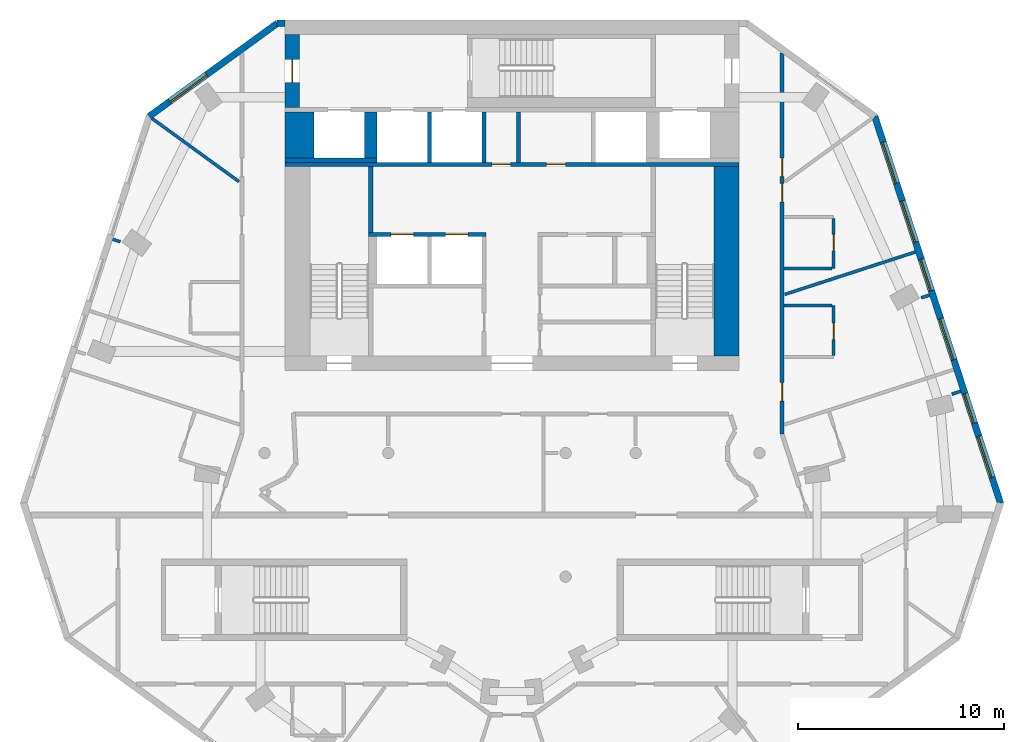
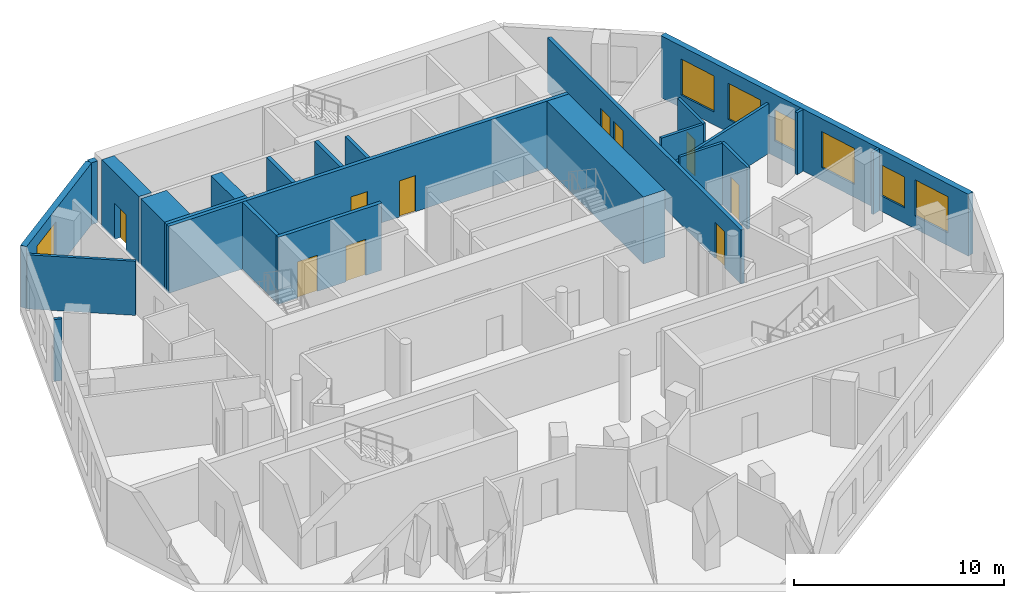
# One storey, part 5 of 9: 24 walls, 10 doors, 7 windows, 17 openings.
"""IFC4 building model written with IfcOpenShell, lengths in metres."""

from ifc_helpers import new_model, si_unit, direction, frame, frame_2d, origin, place, context, subcontext, project, spatial, rectangle, extrude, material, layer, layer_set, type_object, element, fill, save


model = new_model("IFC4")

# Units and contexts
model_context = context("Model", 3, precision=1e-05, world=origin(), true_north=direction((0.0, 1.0)))
body_context = subcontext(model_context, "Body", "Model", "MODEL_VIEW")
ifc_project = project(units=[si_unit("LENGTHUNIT", "METRE"), si_unit("AREAUNIT", "SQUARE_METRE"), si_unit("VOLUMEUNIT", "CUBIC_METRE"), si_unit("PLANEANGLEUNIT", "RADIAN"), si_unit("MASSUNIT", "GRAM", prefix="KILO")], contexts=[model_context])

# Site, building, storey
site_placement = place(None, origin())
site = spatial("IfcSite", under=ifc_project, at=site_placement, CompositionType="ELEMENT")
building_placement = place(site_placement, origin())
building = spatial("IfcBuilding", under=site, at=building_placement, Name="White Candle Pilgrim Tower", CompositionType="ELEMENT")
storey_placement = place(building_placement, frame((0.0, 0.0, 256.10009765625)))
storey = spatial("IfcBuildingStorey", under=building, at=storey_placement, Name="L60", CompositionType="ELEMENT", Elevation=256.10009765625)

# Walls
ifc_material_1 = material(Name="Concrete C50/60", Category="concrete")
ifc_layer_1 = layer(ifc_material_1, 1.39990234375)
ifc_layer_set_1 = layer_set([ifc_layer_1], Name="Core wall 1400 mm Concrete C50/60")
wall_type_1 = type_object("IfcWallType", Name="Core wall 1400 mm Concrete C50/60", PredefinedType="SHEAR", material=ifc_layer_set_1)
wall_1_placement = place(storey_placement, frame((59.699951171875, 81.300048828125, 0.0), z_axis=(0.0, 0.0, 1.0), x_axis=(0.0, 1.0, 0.0)))
element("IfcWall", 1, at=wall_1_placement, inside=storey, type_object=wall_type_1, Name="WL-L60-C40", PredefinedType="SHEAR", context=body_context, shape_type="SweptSolid", body=[
    extrude(rectangle(XDim=2.25, YDim=1.39990234375, at=frame_2d((1.125, 0.0))), origin(), (0.0, 0.0, 1.0), 3.89990234375),
])
ifc_layer_2 = layer(ifc_material_1, 0.199951171875)
ifc_layer_set_2 = layer_set([ifc_layer_2], Name="Core wall 200 mm Concrete C50/60")
wall_type_2 = type_object("IfcWallType", Name="Core wall 200 mm Concrete C50/60", PredefinedType="SHEAR", material=ifc_layer_set_2)
wall_2_placement = place(storey_placement, frame((59.0, 81.199951171875, 0.0), z_axis=(0.0, 0.0, 1.0), x_axis=(1.0, 0.0, 0.0)))
element("IfcWall", 2, at=wall_2_placement, inside=storey, type_object=wall_type_2, Name="WL-L60-C34", PredefinedType="SHEAR", context=body_context, shape_type="SweptSolid", body=[
    extrude(rectangle(XDim=4.449951171875, YDim=0.199951171875, at=frame_2d((2.22509765625, 0.0))), origin(), (0.0, 0.0, 1.0), 3.89990234375),
])

# Wall, opening, door
ifc_layer_3 = layer(ifc_material_1, 0.699951171875)
ifc_layer_set_3 = layer_set([ifc_layer_3], Name="Core wall 700 mm Concrete C50/60")
wall_type_3 = type_object("IfcWallType", Name="Core wall 700 mm Concrete C50/60", PredefinedType="SHEAR", material=ifc_layer_set_3)
wall_3_placement = place(storey_placement, frame((59.35009765625, 83.75, 0.0), z_axis=(0.0, 0.0, 1.0), x_axis=(0.0, 1.0, 0.0)))
wall_3 = element("IfcWall", 3, at=wall_3_placement, inside=storey, type_object=wall_type_3, Name="WL-L60-C45", PredefinedType="SHEAR", context=body_context, shape_type="SweptSolid", body=[
    extrude(rectangle(XDim=3.550048828125, YDim=0.699951171875, at=frame_2d((1.77490234375, 0.0))), origin(), (0.0, 0.0, 1.0), 3.89990234375),
])
opening_1_placement = place(wall_3_placement, frame((1.22509765625, 0.0, 0.0)))
opening_1 = element("IfcOpeningElement", 4, at=opening_1_placement, cuts=wall_3, Name="Opening T18-008", PredefinedType="OPENING", context=body_context, shape_type="SweptSolid", body=[
    extrude(rectangle(XDim=1.10009765625, YDim=2.10009765625, at=frame_2d((0.550048828125, 1.050048828125))), frame((0.0, 0.35986328125, 0.0), z_axis=(0.0, -1.0, 0.0), x_axis=(1.0, 0.0, 0.0)), (0.0, 0.0, 1.0), 0.719970703125),
])
ifc_material_2 = material(Name="Steel door leaf", Category="steel")
door_type_1 = type_object("IfcDoorType", Name="Fire door 1100 x 2100 EI 60", OperationType="NOTDEFINED", PredefinedType="DOOR", material=ifc_material_2)
door_1_placement = place(opening_1_placement, origin())
door_1 = element("IfcDoor", 5, at=door_1_placement, inside=storey, type_object=door_type_1, Name="Door T18-008", OperationType="SINGLE_SWING_RIGHT", OverallHeight=2.10009765625, OverallWidth=1.10009765625, PredefinedType="DOOR", context=body_context, shape_type="SweptSolid", body=[
    extrude(rectangle(XDim=1.10009765625, YDim=2.10009765625, at=frame_2d((0.550048828125, 1.050048828125))), frame((0.0, 0.02490234375, 0.0), z_axis=(0.0, -1.0, 0.0), x_axis=(1.0, 0.0, 0.0)), (0.0, 0.0, 1.0), 0.050048828125),
])
fill(opening_1, door_1)

# Wall, openings, doors
ifc_material_3 = material(Name="Gypsum board on steel studs", Category="steel")
ifc_layer_4 = layer(ifc_material_3, 0.199951171875)
ifc_layer_set_4 = layer_set([ifc_layer_4], Name="Corridor wall 200 mm EI 45")
wall_type_4 = type_object("IfcWallType", Name="Corridor wall 200 mm EI 45", PredefinedType="PARTITIONING", material=ifc_layer_set_4)
wall_4_placement = place(storey_placement, frame((83.10009765625, 86.396240234375, 0.0), z_axis=(0.0, 0.0, 1.0), x_axis=(0.0, -1.0, 0.0)))
wall_4 = element("IfcWall", 6, at=wall_4_placement, inside=storey, type_object=wall_type_4, Name="WL-L60-P004", PredefinedType="PARTITIONING", context=body_context, shape_type="SweptSolid", body=[
    extrude(rectangle(XDim=18.4677734375, YDim=0.199951171875, at=frame_2d((9.23388671875, 0.0))), origin(), (0.0, 0.0, 1.0), 3.14990234375),
])
opening_2_placement = place(wall_4_placement, frame((5.09033203125, 0.0, 0.0)))
opening_2 = element("IfcOpeningElement", 7, at=opening_2_placement, cuts=wall_4, Name="Opening T18-121", PredefinedType="OPENING", context=body_context, shape_type="SweptSolid", body=[
    extrude(rectangle(XDim=0.89990234375, YDim=2.10009765625, at=frame_2d((0.449951171875, 1.050048828125))), frame((0.0, 0.10986328125, 0.0), z_axis=(0.0, -1.0, 0.0), x_axis=(1.0, 0.0, 0.0)), (0.0, 0.0, 1.0), 0.219970703125),
])
opening_3_placement = place(wall_4_placement, frame((6.31396484375, 0.0, 0.0)))
opening_3 = element("IfcOpeningElement", 8, at=opening_3_placement, cuts=wall_4, Name="Opening T18-122", PredefinedType="OPENING", context=body_context, shape_type="SweptSolid", body=[
    extrude(rectangle(XDim=0.89990234375, YDim=2.10009765625, at=frame_2d((0.449951171875, 1.050048828125))), frame((0.0, 0.10986328125, 0.0), z_axis=(0.0, -1.0, 0.0), x_axis=(1.0, 0.0, 0.0)), (0.0, 0.0, 1.0), 0.219970703125),
])
opening_4_placement = place(wall_4_placement, frame((15.977783203125, 0.0, 0.0)))
opening_4 = element("IfcOpeningElement", 9, at=opening_4_placement, cuts=wall_4, Name="Opening T18-123", PredefinedType="OPENING", context=body_context, shape_type="SweptSolid", body=[
    extrude(rectangle(XDim=0.89990234375, YDim=2.10009765625, at=frame_2d((0.449951171875, 1.050048828125))), frame((0.0, 0.10986328125, 0.0), z_axis=(0.0, -1.0, 0.0), x_axis=(1.0, 0.0, 0.0)), (0.0, 0.0, 1.0), 0.219970703125),
])
door_type_2 = type_object("IfcDoorType", Name="Fire door 900 x 2100 EI 30", OperationType="NOTDEFINED", PredefinedType="DOOR", material=ifc_material_2)
door_2_placement = place(opening_2_placement, origin())
door_2 = element("IfcDoor", 10, at=door_2_placement, inside=storey, type_object=door_type_2, Name="Door T18-121", OperationType="SINGLE_SWING_LEFT", OverallHeight=2.10009765625, OverallWidth=0.89990234375, PredefinedType="DOOR", context=body_context, shape_type="SweptSolid", body=[
    extrude(rectangle(XDim=0.89990234375, YDim=2.10009765625, at=frame_2d((0.449951171875, 1.050048828125))), frame((0.0, 0.02490234375, 0.0), z_axis=(0.0, -1.0, 0.0), x_axis=(1.0, 0.0, 0.0)), (0.0, 0.0, 1.0), 0.050048828125),
])
fill(opening_2, door_2)
door_3_placement = place(opening_3_placement, origin())
door_3 = element("IfcDoor", 11, at=door_3_placement, inside=storey, type_object=door_type_2, Name="Door T18-122", OperationType="SINGLE_SWING_RIGHT", OverallHeight=2.10009765625, OverallWidth=0.89990234375, PredefinedType="DOOR", context=body_context, shape_type="SweptSolid", body=[
    extrude(rectangle(XDim=0.89990234375, YDim=2.10009765625, at=frame_2d((0.449951171875, 1.050048828125))), frame((0.0, 0.02490234375, 0.0), z_axis=(0.0, -1.0, 0.0), x_axis=(1.0, 0.0, 0.0)), (0.0, 0.0, 1.0), 0.050048828125),
])
fill(opening_3, door_3)
door_4_placement = place(opening_4_placement, origin())
door_4 = element("IfcDoor", 12, at=door_4_placement, inside=storey, type_object=door_type_2, Name="Door T18-123", OperationType="SINGLE_SWING_LEFT", OverallHeight=2.10009765625, OverallWidth=0.89990234375, PredefinedType="DOOR", context=body_context, shape_type="SweptSolid", body=[
    extrude(rectangle(XDim=0.89990234375, YDim=2.10009765625, at=frame_2d((0.449951171875, 1.050048828125))), frame((0.0, 0.02490234375, 0.0), z_axis=(0.0, -1.0, 0.0), x_axis=(1.0, 0.0, 0.0)), (0.0, 0.0, 1.0), 0.050048828125),
])
fill(opening_4, door_4)

# Wall, openings, windows
ifc_material_4 = material(Name="Precast concrete C40/50", Category="concrete")
ifc_layer_5 = layer(ifc_material_4, 0.320068359375)
ifc_layer_set_5 = layer_set([ifc_layer_5], Name="Facade wall EW1 precast concrete C40/50 pier wall with timber-lined reveals")
wall_type_5 = type_object("IfcWallType", Name="Facade wall EW1 precast concrete C40/50 pier wall with timber-lined reveals", PredefinedType="SOLIDWALL", material=ifc_layer_set_5)
wall_5_placement = place(storey_placement, frame((93.691650390625, 64.569091796875, 0.0), z_axis=(0.0, 0.0, 1.0), x_axis=(-0.309025614403, 0.951053715435, 0.0)))
wall_5 = element("IfcWall", 13, at=wall_5_placement, inside=storey, type_object=wall_type_5, Name="Facade wall L60 ENE", PredefinedType="SOLIDWALL", context=body_context, shape_type="SweptSolid", body=[
    extrude(rectangle(XDim=19.72314453125, YDim=0.320068359375, at=frame_2d((9.861572265625, 0.0))), origin(), (0.0, 0.0, 1.0), 3.599853515625),
])
opening_5_placement = place(wall_5_placement, frame((1.3115234375, 0.0, 0.75)))
opening_5 = element("IfcOpeningElement", 14, at=opening_5_placement, cuts=wall_5, Name="Opening W3", PredefinedType="OPENING", context=body_context, shape_type="SweptSolid", body=[
    extrude(rectangle(XDim=2.10009765625, YDim=2.10009765625, at=frame_2d((1.050048828125, 1.050048828125))), frame((0.0, 0.169921875, 0.0), z_axis=(0.0, -1.0, 0.0), x_axis=(1.0, 0.0, 0.0)), (0.0, 0.0, 1.0), 0.340087890625),
])
opening_6_placement = place(wall_5_placement, frame((4.08349609375, 0.0, 0.89990234375)))
opening_6 = element("IfcOpeningElement", 15, at=opening_6_placement, cuts=wall_5, Name="Opening W1", PredefinedType="OPENING", context=body_context, shape_type="SweptSolid", body=[
    extrude(rectangle(XDim=1.5, YDim=1.800048828125, at=frame_2d((0.75, 0.89990234375))), frame((0.0, 0.169921875, 0.0), z_axis=(0.0, -1.0, 0.0), x_axis=(1.0, 0.0, 0.0)), (0.0, 0.0, 1.0), 0.340087890625),
])
opening_7_placement = place(wall_5_placement, frame((7.3115234375, 0.0, 0.75)))
opening_7 = element("IfcOpeningElement", 16, at=opening_7_placement, cuts=wall_5, Name="Opening W3", PredefinedType="OPENING", context=body_context, shape_type="SweptSolid", body=[
    extrude(rectangle(XDim=2.10009765625, YDim=2.10009765625, at=frame_2d((1.050048828125, 1.050048828125))), frame((0.0, 0.169921875, 0.0), z_axis=(0.0, -1.0, 0.0), x_axis=(1.0, 0.0, 0.0)), (0.0, 0.0, 1.0), 0.340087890625),
])
opening_8_placement = place(wall_5_placement, frame((10.835693359375, 0.0, 0.89990234375)))
opening_8 = element("IfcOpeningElement", 17, at=opening_8_placement, cuts=wall_5, Name="Opening W2", PredefinedType="OPENING", context=body_context, shape_type="SweptSolid", body=[
    extrude(rectangle(XDim=1.60009765625, YDim=1.800048828125, at=frame_2d((0.800048828125, 0.89990234375))), frame((0.0, 0.169921875, 0.0), z_axis=(0.0, -1.0, 0.0), x_axis=(1.0, 0.0, 0.0)), (0.0, 0.0, 1.0), 0.340087890625),
])
opening_9_placement = place(wall_5_placement, frame((13.3115234375, 0.0, 0.75)))
opening_9 = element("IfcOpeningElement", 18, at=opening_9_placement, cuts=wall_5, Name="Opening W3", PredefinedType="OPENING", context=body_context, shape_type="SweptSolid", body=[
    extrude(rectangle(XDim=2.10009765625, YDim=2.10009765625, at=frame_2d((1.050048828125, 1.050048828125))), frame((0.0, 0.169921875, 0.0), z_axis=(0.0, -1.0, 0.0), x_axis=(1.0, 0.0, 0.0)), (0.0, 0.0, 1.0), 0.340087890625),
])
opening_10_placement = place(wall_5_placement, frame((16.3115234375, 0.0, 0.75)))
opening_10 = element("IfcOpeningElement", 19, at=opening_10_placement, cuts=wall_5, Name="Opening W3", PredefinedType="OPENING", context=body_context, shape_type="SweptSolid", body=[
    extrude(rectangle(XDim=2.10009765625, YDim=2.10009765625, at=frame_2d((1.050048828125, 1.050048828125))), frame((0.0, 0.169921875, 0.0), z_axis=(0.0, -1.0, 0.0), x_axis=(1.0, 0.0, 0.0)), (0.0, 0.0, 1.0), 0.340087890625),
])
ifc_material_5 = material(Name="Timber frame with triple glazing", Category="wood")
window_type_1 = type_object("IfcWindowType", Name="Window W1 1500x1800 timber frame triple glazing", PartitioningType="SINGLE_PANEL", PredefinedType="WINDOW", material=ifc_material_5)
window_1_placement = place(opening_6_placement, origin())
window_1 = element("IfcWindow", 20, at=window_1_placement, inside=storey, type_object=window_type_1, Name="Window W1 L60 ENE 2", OverallHeight=1.800048828125, OverallWidth=1.5, PartitioningType="SINGLE_PANEL", PredefinedType="WINDOW", context=body_context, shape_type="SweptSolid", body=[
    extrude(rectangle(XDim=1.5, YDim=1.800048828125, at=frame_2d((0.75, 0.89990234375))), frame((0.0, 0.070068359375, 0.0), z_axis=(0.0, -1.0, 0.0), x_axis=(1.0, 0.0, 0.0)), (0.0, 0.0, 1.0), 0.06005859375),
])
fill(opening_6, window_1)
window_type_2 = type_object("IfcWindowType", Name="Window W2 1600x1800 timber frame triple glazing", PartitioningType="SINGLE_PANEL", PredefinedType="WINDOW", material=ifc_material_5)
window_2_placement = place(opening_8_placement, origin())
window_2 = element("IfcWindow", 21, at=window_2_placement, inside=storey, type_object=window_type_2, Name="Window W2 L60 ENE 4", OverallHeight=1.800048828125, OverallWidth=1.60009765625, PartitioningType="SINGLE_PANEL", PredefinedType="WINDOW", context=body_context, shape_type="SweptSolid", body=[
    extrude(rectangle(XDim=1.60009765625, YDim=1.800048828125, at=frame_2d((0.800048828125, 0.89990234375))), frame((0.0, 0.070068359375, 0.0), z_axis=(0.0, -1.0, 0.0), x_axis=(1.0, 0.0, 0.0)), (0.0, 0.0, 1.0), 0.06005859375),
])
fill(opening_8, window_2)
window_type_3 = type_object("IfcWindowType", Name="Window W3 2100x2100 timber frame triple glazing", PartitioningType="SINGLE_PANEL", PredefinedType="WINDOW", material=ifc_material_5)
window_3_placement = place(opening_5_placement, origin())
window_3 = element("IfcWindow", 22, at=window_3_placement, inside=storey, type_object=window_type_3, Name="Window W3 L60 ENE 1", OverallHeight=2.10009765625, OverallWidth=2.10009765625, PartitioningType="SINGLE_PANEL", PredefinedType="WINDOW", context=body_context, shape_type="SweptSolid", body=[
    extrude(rectangle(XDim=2.10009765625, YDim=2.10009765625, at=frame_2d((1.050048828125, 1.050048828125))), frame((0.0, 0.070068359375, 0.0), z_axis=(0.0, -1.0, 0.0), x_axis=(1.0, 0.0, 0.0)), (0.0, 0.0, 1.0), 0.06005859375),
])
fill(opening_5, window_3)
window_4_placement = place(opening_7_placement, origin())
window_4 = element("IfcWindow", 23, at=window_4_placement, inside=storey, type_object=window_type_3, Name="Window W3 L60 ENE 3", OverallHeight=2.10009765625, OverallWidth=2.10009765625, PartitioningType="SINGLE_PANEL", PredefinedType="WINDOW", context=body_context, shape_type="SweptSolid", body=[
    extrude(rectangle(XDim=2.10009765625, YDim=2.10009765625, at=frame_2d((1.050048828125, 1.050048828125))), frame((0.0, 0.070068359375, 0.0), z_axis=(0.0, -1.0, 0.0), x_axis=(1.0, 0.0, 0.0)), (0.0, 0.0, 1.0), 0.06005859375),
])
fill(opening_7, window_4)
window_5_placement = place(opening_9_placement, origin())
window_5 = element("IfcWindow", 24, at=window_5_placement, inside=storey, type_object=window_type_3, Name="Window W3 L60 ENE 5", OverallHeight=2.10009765625, OverallWidth=2.10009765625, PartitioningType="SINGLE_PANEL", PredefinedType="WINDOW", context=body_context, shape_type="SweptSolid", body=[
    extrude(rectangle(XDim=2.10009765625, YDim=2.10009765625, at=frame_2d((1.050048828125, 1.050048828125))), frame((0.0, 0.070068359375, 0.0), z_axis=(0.0, -1.0, 0.0), x_axis=(1.0, 0.0, 0.0)), (0.0, 0.0, 1.0), 0.06005859375),
])
fill(opening_9, window_5)
window_6_placement = place(opening_10_placement, origin())
window_6 = element("IfcWindow", 25, at=window_6_placement, inside=storey, type_object=window_type_3, Name="Window W3 L60 ENE 6", OverallHeight=2.10009765625, OverallWidth=2.10009765625, PartitioningType="SINGLE_PANEL", PredefinedType="WINDOW", context=body_context, shape_type="SweptSolid", body=[
    extrude(rectangle(XDim=2.10009765625, YDim=2.10009765625, at=frame_2d((1.050048828125, 1.050048828125))), frame((0.0, 0.070068359375, 0.0), z_axis=(0.0, -1.0, 0.0), x_axis=(1.0, 0.0, 0.0)), (0.0, 0.0, 1.0), 0.06005859375),
])
fill(opening_10, window_6)

# Wall
wall_6_placement = place(storey_placement, frame((59.0, 87.840087890625, 0.0), z_axis=(0.0, 0.0, 1.0), x_axis=(-1.0, 0.0, 0.0)))
element("IfcWall", 26, at=wall_6_placement, inside=storey, type_object=wall_type_5, Name="Facade wall L60 N", PredefinedType="SOLIDWALL", context=body_context, shape_type="SweptSolid", body=[
    extrude(rectangle(XDim=0.385009765625, YDim=0.320068359375, at=frame_2d((0.1923828125, 0.0))), origin(), (0.0, 0.0, 1.0), 3.599853515625),
])

# Wall, opening, window
wall_7_placement = place(storey_placement, frame((58.614990234375, 87.840087890625, 0.0), z_axis=(0.0, 0.0, 1.0), x_axis=(-0.809008247786, -0.587797290751, 0.0)))
wall_7 = element("IfcWall", 27, at=wall_7_placement, inside=storey, type_object=wall_type_5, Name="Facade wall L60 NW chamfer", PredefinedType="SOLIDWALL", context=body_context, shape_type="SweptSolid", body=[
    extrude(rectangle(XDim=7.67822265625, YDim=0.320068359375, at=frame_2d((3.839111328125, 0.0))), origin(), (0.0, 0.0, 1.0), 3.599853515625),
])
opening_11_placement = place(wall_7_placement, frame((4.239013671875, 0.0, 0.75)))
opening_11 = element("IfcOpeningElement", 28, at=opening_11_placement, cuts=wall_7, Name="Opening W4", PredefinedType="OPENING", context=body_context, shape_type="SweptSolid", body=[
    extrude(rectangle(XDim=2.199951171875, YDim=2.10009765625, at=frame_2d((1.10009765625, 1.050048828125))), frame((0.0, 0.169921875, 0.0), z_axis=(0.0, -1.0, 0.0), x_axis=(1.0, 0.0, 0.0)), (0.0, 0.0, 1.0), 0.340087890625),
])
window_type_4 = type_object("IfcWindowType", Name="Window W4 2200x2100 timber frame triple glazing", PartitioningType="SINGLE_PANEL", PredefinedType="WINDOW", material=ifc_material_5)
window_7_placement = place(opening_11_placement, origin())
window_7 = element("IfcWindow", 29, at=window_7_placement, inside=storey, type_object=window_type_4, Name="Window W4 L60 NW chamfer 2", OverallHeight=2.10009765625, OverallWidth=2.199951171875, PartitioningType="SINGLE_PANEL", PredefinedType="WINDOW", context=body_context, shape_type="SweptSolid", body=[
    extrude(rectangle(XDim=2.199951171875, YDim=2.10009765625, at=frame_2d((1.10009765625, 1.050048828125))), frame((0.0, 0.070068359375, 0.0), z_axis=(0.0, -1.0, 0.0), x_axis=(1.0, 0.0, 0.0)), (0.0, 0.0, 1.0), 0.06005859375),
])
fill(opening_11, window_7)

# Walls
ifc_layer_6 = layer(ifc_material_3, 0.199951171875)
ifc_layer_set_6 = layer_set([ifc_layer_6], Name="Lobby wall 200 mm EI 60")
wall_type_6 = type_object("IfcWallType", Name="Lobby wall 200 mm EI 60", PredefinedType="PARTITIONING", material=ifc_layer_set_6)
wall_8_placement = place(storey_placement, frame((70.320068359375, 81.10009765625, 0.0), z_axis=(0.0, 0.0, 1.0), x_axis=(0.0, 1.0, 0.0)))
element("IfcWall", 30, at=wall_8_placement, inside=storey, type_object=wall_type_6, Name="WL-L60-C37", PredefinedType="PARTITIONING", context=body_context, shape_type="SweptSolid", body=[
    extrude(rectangle(XDim=2.449951171875, YDim=0.199951171875, at=frame_2d((1.22509765625, 0.0))), origin(), (0.0, 0.0, 1.0), 3.599853515625),
])
ifc_layer_7 = layer(ifc_material_3, 0.14990234375)
ifc_layer_set_7 = layer_set([ifc_layer_7], Name="Partition 150 mm EI 60")
wall_type_7 = type_object("IfcWallType", Name="Partition 150 mm EI 60", PredefinedType="PARTITIONING", material=ifc_layer_set_7)
wall_9_placement = place(storey_placement, frame((52.539306640625, 83.22802734375, 0.0), z_axis=(0.0, 0.0, 1.0), x_axis=(0.809019578294, -0.587781695816, 0.0)))
element("IfcWall", 31, at=wall_9_placement, inside=storey, type_object=wall_type_7, Name="WL-L60-P025", PredefinedType="PARTITIONING", context=body_context, shape_type="SweptSolid", body=[
    extrude(rectangle(XDim=5.2119140625, YDim=0.14990234375, at=frame_2d((2.60595703125, 0.0))), origin(), (0.0, 0.0, 1.0), 3.14990234375),
])
wall_10_placement = place(storey_placement, frame((89.56494140625, 76.751708984375, 0.0), z_axis=(0.0, 0.0, 1.0), x_axis=(-0.951057743275, -0.309013218095, 0.0)))
element("IfcWall", 32, at=wall_10_placement, inside=storey, type_object=wall_type_7, Name="WL-L60-P045", PredefinedType="PARTITIONING", context=body_context, shape_type="SweptSolid", body=[
    extrude(rectangle(XDim=6.668212890625, YDim=0.14990234375, at=frame_2d((3.333984375, 0.0))), origin(), (0.0, 0.0, 1.0), 2.89990234375),
])

# Wall, opening, door
wall_11_placement = place(storey_placement, frame((85.60009765625, 74.151123046875, 0.0), z_axis=(0.0, 0.0, 1.0), x_axis=(0.0, -1.0, 0.0)))
wall_11 = element("IfcWall", 33, at=wall_11_placement, inside=storey, type_object=wall_type_7, Name="WL-L60-P049", PredefinedType="PARTITIONING", context=body_context, shape_type="SweptSolid", body=[
    extrude(rectangle(XDim=2.4248046875, YDim=0.14990234375, at=frame_2d((1.21240234375, 0.0))), origin(), (0.0, 0.0, 1.0), 3.599853515625),
])
opening_12_placement = place(wall_11_placement, frame((0.85009765625, 0.0, 0.0)))
opening_12 = element("IfcOpeningElement", 34, at=opening_12_placement, cuts=wall_11, Name="Opening T18-113", PredefinedType="OPENING", context=body_context, shape_type="SweptSolid", body=[
    extrude(rectangle(XDim=0.800048828125, YDim=2.10009765625, at=frame_2d((0.39990234375, 1.050048828125))), frame((0.0, 0.0849609375, 0.0), z_axis=(0.0, -1.0, 0.0), x_axis=(1.0, 0.0, 0.0)), (0.0, 0.0, 1.0), 0.169921875),
])
door_type_3 = type_object("IfcDoorType", Name="Fire door 800 x 2100 EI 30", OperationType="NOTDEFINED", PredefinedType="DOOR", material=ifc_material_2)
door_5_placement = place(opening_12_placement, origin())
door_5 = element("IfcDoor", 35, at=door_5_placement, inside=storey, type_object=door_type_3, Name="Door T18-113", OperationType="SINGLE_SWING_LEFT", OverallHeight=2.10009765625, OverallWidth=0.800048828125, PredefinedType="DOOR", context=body_context, shape_type="SweptSolid", body=[
    extrude(rectangle(XDim=0.800048828125, YDim=2.10009765625, at=frame_2d((0.39990234375, 1.050048828125))), frame((0.0, 0.02490234375, 0.0), z_axis=(0.0, -1.0, 0.0), x_axis=(1.0, 0.0, 0.0)), (0.0, 0.0, 1.0), 0.050048828125),
])
fill(opening_12, door_5)

# Wall
wall_12_placement = place(storey_placement, frame((83.199951171875, 74.151123046875, 0.0), z_axis=(0.0, 0.0, 1.0), x_axis=(1.0, 0.0, 0.0)))
element("IfcWall", 36, at=wall_12_placement, inside=storey, type_object=wall_type_7, Name="WL-L60-P050", PredefinedType="PARTITIONING", context=body_context, shape_type="SweptSolid", body=[
    extrude(rectangle(XDim=2.324951171875, YDim=0.14990234375, at=frame_2d((1.16259765625, 0.0))), origin(), (0.0, 0.0, 1.0), 3.599853515625),
])

# Wall, opening, door
wall_13_placement = place(storey_placement, frame((85.60009765625, 75.951171875, 0.0), z_axis=(0.0, 0.0, 1.0), x_axis=(0.0, 1.0, 0.0)))
wall_13 = element("IfcWall", 37, at=wall_13_placement, inside=storey, type_object=wall_type_7, Name="WL-L60-P052", PredefinedType="PARTITIONING", context=body_context, shape_type="SweptSolid", body=[
    extrude(rectangle(XDim=2.425048828125, YDim=0.14990234375, at=frame_2d((1.21240234375, 0.0))), origin(), (0.0, 0.0, 1.0), 3.599853515625),
])
opening_13_placement = place(wall_13_placement, frame((0.85009765625, 0.0, 0.0)))
opening_13 = element("IfcOpeningElement", 38, at=opening_13_placement, cuts=wall_13, Name="Opening T18-114", PredefinedType="OPENING", context=body_context, shape_type="SweptSolid", body=[
    extrude(rectangle(XDim=0.800048828125, YDim=2.10009765625, at=frame_2d((0.39990234375, 1.050048828125))), frame((0.0, 0.0849609375, 0.0), z_axis=(0.0, -1.0, 0.0), x_axis=(1.0, 0.0, 0.0)), (0.0, 0.0, 1.0), 0.169921875),
])
door_6_placement = place(opening_13_placement, frame((0.800048828125, 0.0, 0.0), z_axis=(0.0, 0.0, 1.0), x_axis=(-1.0, 0.0, 0.0)))
door_6 = element("IfcDoor", 39, at=door_6_placement, inside=storey, type_object=door_type_3, Name="Door T18-114", OperationType="SINGLE_SWING_LEFT", OverallHeight=2.10009765625, OverallWidth=0.800048828125, PredefinedType="DOOR", context=body_context, shape_type="SweptSolid", body=[
    extrude(rectangle(XDim=0.800048828125, YDim=2.10009765625, at=frame_2d((0.39990234375, 1.050048828125))), frame((0.0, 0.02490234375, 0.0), z_axis=(0.0, -1.0, 0.0), x_axis=(1.0, 0.0, 0.0)), (0.0, 0.0, 1.0), 0.050048828125),
])
fill(opening_13, door_6)

# Walls
wall_14_placement = place(storey_placement, frame((83.199951171875, 75.951171875, 0.0), z_axis=(0.0, 0.0, 1.0), x_axis=(1.0, 0.0, 0.0)))
element("IfcWall", 40, at=wall_14_placement, inside=storey, type_object=wall_type_7, Name="WL-L60-P053", PredefinedType="PARTITIONING", context=body_context, shape_type="SweptSolid", body=[
    extrude(rectangle(XDim=2.324951171875, YDim=0.14990234375, at=frame_2d((1.16259765625, 0.0))), origin(), (0.0, 0.0, 1.0), 3.599853515625),
])
wall_15_placement = place(storey_placement, frame((91.327392578125, 69.855712890625, 0.0), z_axis=(0.0, 0.0, 1.0), x_axis=(0.951018291355, 0.309134613894, 0.0)))
element("IfcWall", 41, at=wall_15_placement, inside=storey, type_object=wall_type_7, Name="WL-L60-P057", PredefinedType="PARTITIONING", context=body_context, shape_type="SweptSolid", body=[
    extrude(rectangle(XDim=0.454833984375, YDim=0.14990234375, at=frame_2d((0.2275390625, 0.0))), origin(), (0.0, 0.0, 1.0), 3.599853515625),
])
wall_16_placement = place(storey_placement, frame((89.844482421875, 74.528564453125, 0.0), z_axis=(0.0, 0.0, 1.0), x_axis=(0.951089423104, 0.308915699277, 0.0)))
element("IfcWall", 42, at=wall_16_placement, inside=storey, type_object=wall_type_7, Name="WL-L60-P058", PredefinedType="PARTITIONING", context=body_context, shape_type="SweptSolid", body=[
    extrude(rectangle(XDim=0.421142578125, YDim=0.14990234375, at=frame_2d((0.21044921875, 0.0))), origin(), (0.0, 0.0, 1.0), 3.599853515625),
])
wall_17_placement = place(storey_placement, frame((51.00439453125, 77.24755859375, 0.0), z_axis=(0.0, 0.0, 1.0), x_axis=(-0.951167956865, 0.308673804904, 0.0)))
element("IfcWall", 43, at=wall_17_placement, inside=storey, type_object=wall_type_7, Name="WL-L60-P059", PredefinedType="PARTITIONING", context=body_context, shape_type="SweptSolid", body=[
    extrude(rectangle(XDim=0.388427734375, YDim=0.14990234375, at=frame_2d((0.1943359375, 0.0))), origin(), (0.0, 0.0, 1.0), 3.599853515625),
])
ifc_layer_8 = layer(ifc_material_1, 0.199951171875)
ifc_layer_set_8 = layer_set([ifc_layer_8], Name="Shaft wall 200 mm Concrete C50/60")
wall_type_8 = type_object("IfcWallType", Name="Shaft wall 200 mm Concrete C50/60", PredefinedType="SHEAR", material=ifc_layer_set_8)
for number, where, z_axis, x_axis, name in (
    (44, (66.0, 81.10009765625, 0.0), (0.0, 0.0, 1.0), (0.0, 1.0, 0.0), "WL-L60-C35"),
    (45, (68.64990234375, 81.10009765625, 0.0), (0.0, 0.0, 1.0), (0.0, 1.0, 0.0), "WL-L60-C36"),
):
    element("IfcWall", number, at=place(storey_placement, frame(where, z_axis=z_axis, x_axis=x_axis)), inside=storey, type_object=wall_type_8, Name=name, PredefinedType="SHEAR", context=body_context, shape_type="SweptSolid", body=[
        extrude(rectangle(XDim=2.449951171875, YDim=0.199951171875, at=frame_2d((1.22509765625, 0.0))), origin(), (0.0, 0.0, 1.0), 3.89990234375),
    ])
ifc_layer_9 = layer(ifc_material_1, 0.60009765625)
ifc_layer_set_9 = layer_set([ifc_layer_9], Name="Shaft wall 600 mm Concrete C50/60")
wall_type_9 = type_object("IfcWallType", Name="Shaft wall 600 mm Concrete C50/60", PredefinedType="SHEAR", material=ifc_layer_set_9)
wall_18_placement = place(storey_placement, frame((63.14990234375, 81.300048828125, 0.0), z_axis=(0.0, 0.0, 1.0), x_axis=(0.0, 1.0, 0.0)))
element("IfcWall", 46, at=wall_18_placement, inside=storey, type_object=wall_type_9, Name="WL-L60-C41", PredefinedType="SHEAR", context=body_context, shape_type="SweptSolid", body=[
    extrude(rectangle(XDim=2.25, YDim=0.60009765625, at=frame_2d((1.125, 0.0))), origin(), (0.0, 0.0, 1.0), 3.89990234375),
])
ifc_layer_10 = layer(ifc_material_1, 1.199951171875)
ifc_layer_set_10 = layer_set([ifc_layer_10], Name="Stair shaft wall 1200 mm Concrete C50/60")
wall_type_10 = type_object("IfcWallType", Name="Stair shaft wall 1200 mm Concrete C50/60", PredefinedType="SHEAR", material=ifc_layer_set_10)
wall_19_placement = place(storey_placement, frame((80.39990234375, 71.699951171875, 0.0), z_axis=(0.0, 0.0, 1.0), x_axis=(0.0, 1.0, 0.0)))
element("IfcWall", 47, at=wall_19_placement, inside=storey, type_object=wall_type_10, Name="WL-L60-C17", PredefinedType="SHEAR", context=body_context, shape_type="SweptSolid", body=[
    extrude(rectangle(XDim=9.199951171875, YDim=1.199951171875, at=frame_2d((4.60009765625, 0.0))), origin(), (0.0, 0.0, 1.0), 3.89990234375),
])

# Wall, openings, doors
ifc_layer_11 = layer(ifc_material_1, 0.199951171875)
ifc_layer_set_11 = layer_set([ifc_layer_11], Name="Stair shaft wall 200 mm Concrete C50/60")
wall_type_11 = type_object("IfcWallType", Name="Stair shaft wall 200 mm Concrete C50/60", PredefinedType="SHEAR", material=ifc_layer_set_11)
wall_20_placement = place(storey_placement, frame((63.050048828125, 77.60009765625, 0.0), z_axis=(0.0, 0.0, 1.0), x_axis=(1.0, 0.0, 0.0)))
wall_20 = element("IfcWall", 48, at=wall_20_placement, inside=storey, type_object=wall_type_11, Name="WL-L60-C29", PredefinedType="SHEAR", context=body_context, shape_type="SweptSolid", body=[
    extrude(rectangle(XDim=5.699951171875, YDim=0.199951171875, at=frame_2d((2.85009765625, 0.0))), origin(), (0.0, 0.0, 1.0), 3.89990234375),
])
opening_14_placement = place(wall_20_placement, frame((1.074951171875, 0.0, 0.0)))
opening_14 = element("IfcOpeningElement", 49, at=opening_14_placement, cuts=wall_20, Name="Opening T18-014", PredefinedType="OPENING", context=body_context, shape_type="SweptSolid", body=[
    extrude(rectangle(XDim=1.10009765625, YDim=2.10009765625, at=frame_2d((0.550048828125, 1.050048828125))), frame((0.0, 0.10986328125, 0.0), z_axis=(0.0, -1.0, 0.0), x_axis=(1.0, 0.0, 0.0)), (0.0, 0.0, 1.0), 0.219970703125),
])
opening_15_placement = place(wall_20_placement, frame((3.72509765625, 0.0, 0.0)))
opening_15 = element("IfcOpeningElement", 50, at=opening_15_placement, cuts=wall_20, Name="Opening T18-015", PredefinedType="OPENING", context=body_context, shape_type="SweptSolid", body=[
    extrude(rectangle(XDim=1.10009765625, YDim=2.10009765625, at=frame_2d((0.550048828125, 1.050048828125))), frame((0.0, 0.10986328125, 0.0), z_axis=(0.0, -1.0, 0.0), x_axis=(1.0, 0.0, 0.0)), (0.0, 0.0, 1.0), 0.219970703125),
])
ifc_material_6 = material(Name="Stainless steel", Category="steel")
door_type_4 = type_object("IfcDoorType", Name="Lift landing door 1100 x 2100 E 60", OperationType="DOUBLE_DOOR_SLIDING", PredefinedType="DOOR", material=ifc_material_6)
door_7_placement = place(opening_14_placement, origin())
door_7 = element("IfcDoor", 51, at=door_7_placement, inside=storey, type_object=door_type_4, Name="Door T18-014", OperationType="DOUBLE_DOOR_SLIDING", OverallHeight=2.10009765625, OverallWidth=1.10009765625, PredefinedType="DOOR", context=body_context, shape_type="SweptSolid", body=[
    extrude(rectangle(XDim=1.10009765625, YDim=2.10009765625, at=frame_2d((0.550048828125, 1.050048828125))), frame((0.0, 0.02490234375, 0.0), z_axis=(0.0, -1.0, 0.0), x_axis=(1.0, 0.0, 0.0)), (0.0, 0.0, 1.0), 0.050048828125),
])
fill(opening_14, door_7)
door_8_placement = place(opening_15_placement, origin())
door_8 = element("IfcDoor", 52, at=door_8_placement, inside=storey, type_object=door_type_4, Name="Door T18-015", OperationType="DOUBLE_DOOR_SLIDING", OverallHeight=2.10009765625, OverallWidth=1.10009765625, PredefinedType="DOOR", context=body_context, shape_type="SweptSolid", body=[
    extrude(rectangle(XDim=1.10009765625, YDim=2.10009765625, at=frame_2d((0.550048828125, 1.050048828125))), frame((0.0, 0.02490234375, 0.0), z_axis=(0.0, -1.0, 0.0), x_axis=(1.0, 0.0, 0.0)), (0.0, 0.0, 1.0), 0.050048828125),
])
fill(opening_15, door_8)

# Wall
wall_21_placement = place(storey_placement, frame((63.14990234375, 77.699951171875, 0.0), z_axis=(0.0, 0.0, 1.0), x_axis=(0.0, 1.0, 0.0)))
element("IfcWall", 53, at=wall_21_placement, inside=storey, type_object=wall_type_11, Name="WL-L60-C31", PredefinedType="SHEAR", context=body_context, shape_type="SweptSolid", body=[
    extrude(rectangle(XDim=3.199951171875, YDim=0.199951171875, at=frame_2d((1.60009765625, 0.0))), origin(), (0.0, 0.0, 1.0), 3.89990234375),
])

# Wall, openings, doors
wall_22_placement = place(storey_placement, frame((59.0, 81.0, 0.0), z_axis=(0.0, 0.0, 1.0), x_axis=(1.0, 0.0, 0.0)))
wall_22 = element("IfcWall", 54, at=wall_22_placement, inside=storey, type_object=wall_type_11, Name="WL-L60-C33", PredefinedType="SHEAR", context=body_context, shape_type="SweptSolid", body=[
    extrude(rectangle(XDim=22.0, YDim=0.199951171875, at=frame_2d((11.0, 0.0))), origin(), (0.0, 0.0, 1.0), 3.89990234375),
])
opening_16_placement = place(wall_22_placement, frame((10.034912109375, 0.0, 0.0)))
opening_16 = element("IfcOpeningElement", 55, at=opening_16_placement, cuts=wall_22, Name="Opening T18-022", PredefinedType="OPENING", context=body_context, shape_type="SweptSolid", body=[
    extrude(rectangle(XDim=0.89990234375, YDim=2.10009765625, at=frame_2d((0.449951171875, 1.050048828125))), frame((0.0, 0.10986328125, 0.0), z_axis=(0.0, -1.0, 0.0), x_axis=(1.0, 0.0, 0.0)), (0.0, 0.0, 1.0), 0.219970703125),
])
opening_17_placement = place(wall_22_placement, frame((12.68505859375, 0.0, 0.0)))
opening_17 = element("IfcOpeningElement", 56, at=opening_17_placement, cuts=wall_22, Name="Opening T18-023", PredefinedType="OPENING", context=body_context, shape_type="SweptSolid", body=[
    extrude(rectangle(XDim=0.89990234375, YDim=2.10009765625, at=frame_2d((0.449951171875, 1.050048828125))), frame((0.0, 0.10986328125, 0.0), z_axis=(0.0, -1.0, 0.0), x_axis=(1.0, 0.0, 0.0)), (0.0, 0.0, 1.0), 0.219970703125),
])
door_9_placement = place(opening_16_placement, origin())
door_9 = element("IfcDoor", 57, at=door_9_placement, inside=storey, type_object=door_type_2, Name="Door T18-022", OperationType="SINGLE_SWING_RIGHT", OverallHeight=2.10009765625, OverallWidth=0.89990234375, PredefinedType="DOOR", context=body_context, shape_type="SweptSolid", body=[
    extrude(rectangle(XDim=0.89990234375, YDim=2.10009765625, at=frame_2d((0.449951171875, 1.050048828125))), frame((0.0, 0.02490234375, 0.0), z_axis=(0.0, -1.0, 0.0), x_axis=(1.0, 0.0, 0.0)), (0.0, 0.0, 1.0), 0.050048828125),
])
fill(opening_16, door_9)
door_10_placement = place(opening_17_placement, origin())
door_10 = element("IfcDoor", 58, at=door_10_placement, inside=storey, type_object=door_type_2, Name="Door T18-023", OperationType="SINGLE_SWING_LEFT", OverallHeight=2.10009765625, OverallWidth=0.89990234375, PredefinedType="DOOR", context=body_context, shape_type="SweptSolid", body=[
    extrude(rectangle(XDim=0.89990234375, YDim=2.10009765625, at=frame_2d((0.449951171875, 1.050048828125))), frame((0.0, 0.02490234375, 0.0), z_axis=(0.0, -1.0, 0.0), x_axis=(1.0, 0.0, 0.0)), (0.0, 0.0, 1.0), 0.050048828125),
])
fill(opening_17, door_10)

save(model, "model.ifc")
